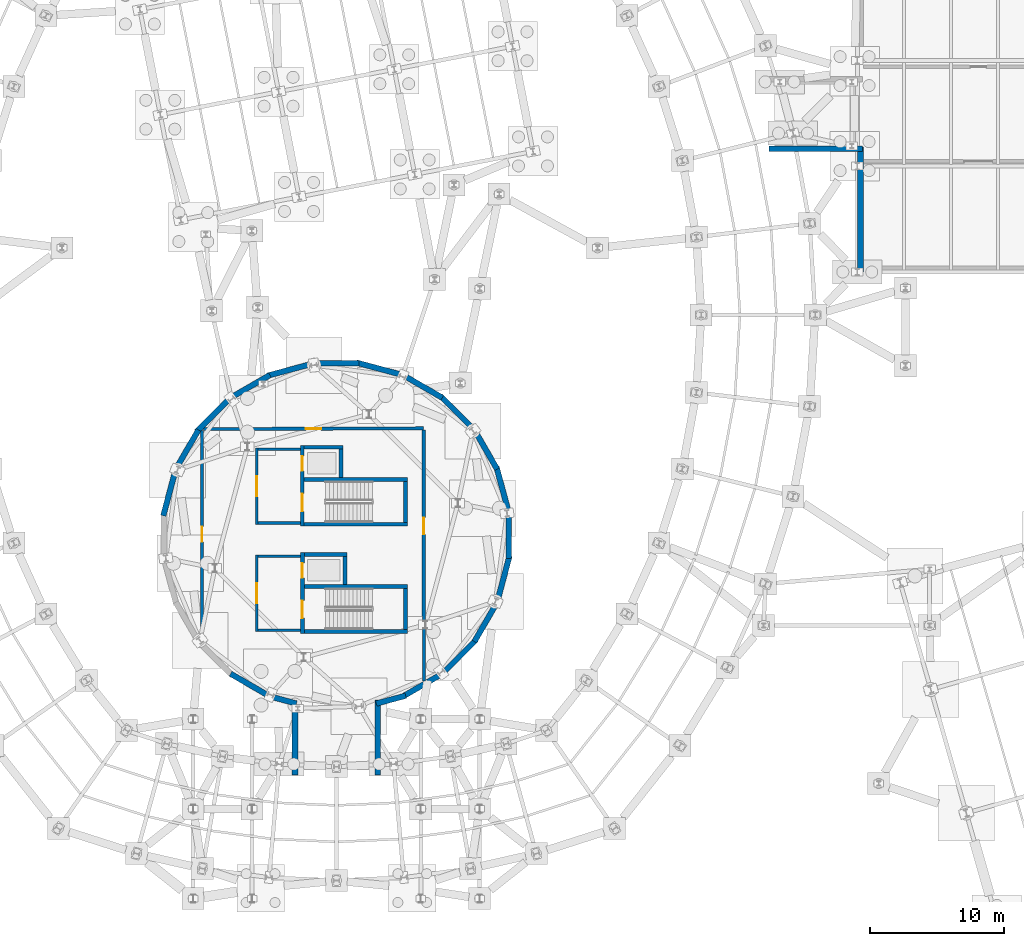
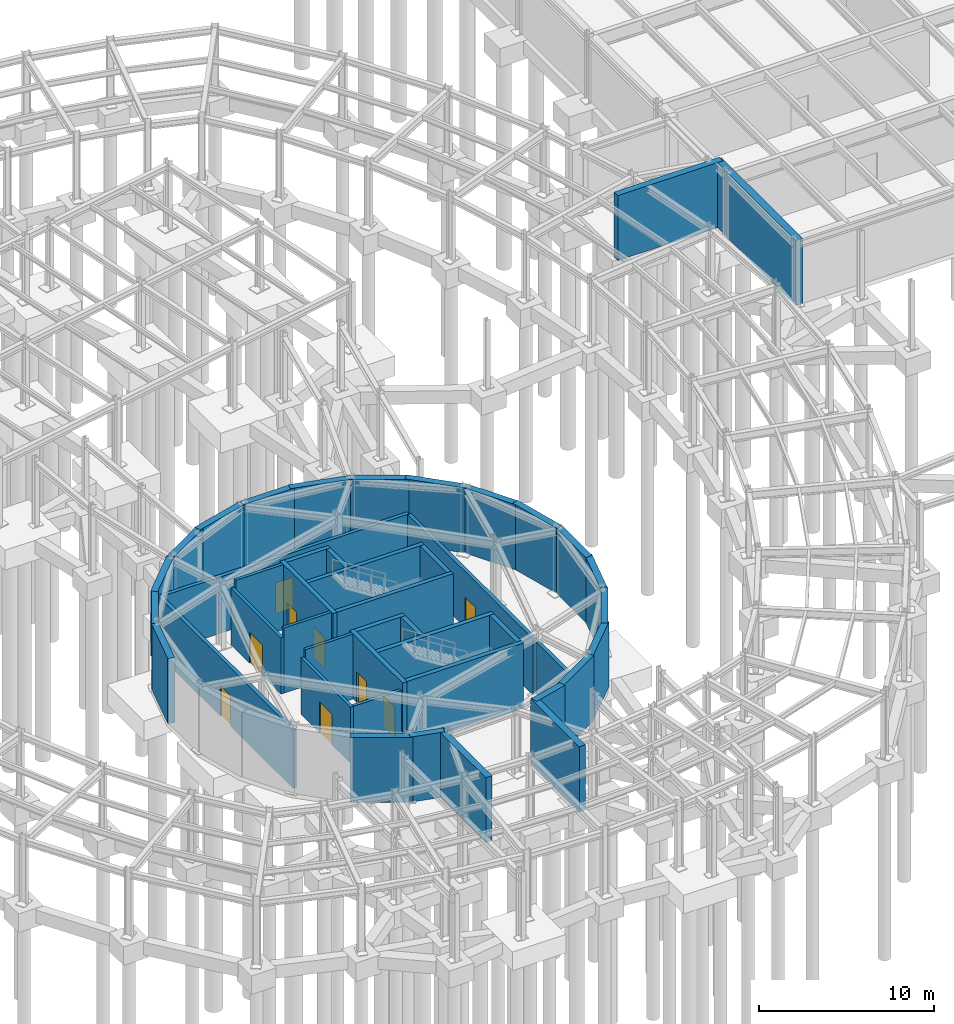
# One storey, part 41 of 50: 45 walls, 9 doors, 9 openings.
"""IFC4 building model written with IfcOpenShell, lengths in metres."""

from ifc_helpers import new_model, si_unit, direction, frame, frame_2d, origin, place, context, subcontext, project, spatial, rectangle, extrude, material, layer, layer_set, type_object, element, fill, save


model = new_model("IFC4")

# Units and contexts
model_context = context("Model", 3, precision=1e-05, world=origin(), true_north=direction((0.0, 1.0)))
body_context = subcontext(model_context, "Body", "Model", "MODEL_VIEW")
ifc_project = project(units=[si_unit("LENGTHUNIT", "METRE"), si_unit("AREAUNIT", "SQUARE_METRE"), si_unit("VOLUMEUNIT", "CUBIC_METRE"), si_unit("PLANEANGLEUNIT", "RADIAN"), si_unit("MASSUNIT", "GRAM", prefix="KILO")], contexts=[model_context])

# Site, building, storey
site_placement = place(None, origin())
site = spatial("IfcSite", under=ifc_project, at=site_placement, CompositionType="ELEMENT")
building_placement = place(site_placement, origin())
building = spatial("IfcBuilding", under=site, at=building_placement, Name="Varnklinge Art Gallery", CompositionType="ELEMENT")
storey_placement = place(building_placement, frame((0.0, 0.0, -4.800048828125)))
storey = spatial("IfcBuildingStorey", under=building, at=storey_placement, Name="B01", CompositionType="ELEMENT", Elevation=-4.800048828125)

# Walls
ifc_material_1 = material(Name="Concrete C40/50", Category="concrete")
ifc_layer_1 = layer(ifc_material_1, 0.199951171875)
ifc_layer_set_1 = layer_set([ifc_layer_1], Name="Concrete C40/50")
wall_type_1 = type_object("IfcWallType", Name="IW-20", PredefinedType="PARTITIONING", material=ifc_layer_set_1)
wall_1_placement = place(storey_placement, frame((69.64990234375, 31.449951171875, 0.0), z_axis=(0.0, 0.0, 1.0), x_axis=(1.0, 0.0, 0.0)))
element("IfcWall", 1, at=wall_1_placement, inside=storey, type_object=wall_type_1, Name="B01 Core C1 Lobby South Wall", PredefinedType="PARTITIONING", context=body_context, shape_type="SweptSolid", body=[
    extrude(rectangle(XDim=3.150146484375, YDim=0.199951171875, at=frame_2d((1.5751953125, 0.0))), origin(), (0.0, 0.0, 1.0), 3.93994140625),
])
wall_2_placement = place(storey_placement, frame((72.800048828125, 36.9599609375, 0.0), z_axis=(0.0, 0.0, 1.0), x_axis=(-1.0, 0.0, 0.0)))
element("IfcWall", 2, at=wall_2_placement, inside=storey, type_object=wall_type_1, Name="B01 Core C1 Lobby North Wall", PredefinedType="PARTITIONING", context=body_context, shape_type="SweptSolid", body=[
    extrude(rectangle(XDim=3.150146484375, YDim=0.199951171875, at=frame_2d((1.5751953125, 0.0))), origin(), (0.0, 0.0, 1.0), 4.550048828125),
])

# Wall, opening, door
wall_3_placement = place(storey_placement, frame((69.550048828125, 31.35009765625, 0.0), z_axis=(0.0, 0.0, 1.0), x_axis=(0.0, 1.0, 0.0)))
wall_3 = element("IfcWall", 3, at=wall_3_placement, inside=storey, type_object=wall_type_1, Name="B01 Core C1 Lobby Corridor Wall", PredefinedType="PARTITIONING", context=body_context, shape_type="SweptSolid", body=[
    extrude(rectangle(XDim=5.7099609375, YDim=0.199951171875, at=frame_2d((2.85498046875, 0.0))), origin(), (0.0, 0.0, 1.0), 3.93994140625),
])
opening_1_placement = place(wall_3_placement, frame((2.114990234375, 0.0, 0.0)))
opening_1 = element("IfcOpeningElement", 4, at=opening_1_placement, cuts=wall_3, Name="Opening D-B01-003", PredefinedType="OPENING", context=body_context, shape_type="SweptSolid", body=[
    extrude(rectangle(XDim=1.47998046875, YDim=2.14990234375, at=frame_2d((0.739990234375, 1.074951171875))), frame((0.0, 0.110107421875, 0.0), z_axis=(0.0, -1.0, 0.0), x_axis=(1.0, 0.0, 0.0)), (0.0, 0.0, 1.0), 0.219970703125),
])
ifc_material_2 = material(Name="Galvanised Fire-Rated Steel", Category="steel")
door_type_1 = type_object("IfcDoorType", Name="ID-LB1", OperationType="DOUBLE_DOOR_SINGLE_SWING", PredefinedType="DOOR", material=ifc_material_2)
door_1_placement = place(opening_1_placement, origin())
door_1 = element("IfcDoor", 5, at=door_1_placement, inside=storey, type_object=door_type_1, Name="B01 Core C1 Protected Lobby Door D-B01-003", OperationType="DOUBLE_DOOR_SINGLE_SWING", OverallHeight=2.14990234375, OverallWidth=1.47998046875, PredefinedType="DOOR", context=body_context, shape_type="SweptSolid", body=[
    extrude(rectangle(XDim=1.47998046875, YDim=2.14990234375, at=frame_2d((0.739990234375, 1.074951171875))), frame((0.0, 0.02490234375, 0.0), z_axis=(0.0, -1.0, 0.0), x_axis=(1.0, 0.0, 0.0)), (0.0, 0.0, 1.0), 0.050048828125),
])
fill(opening_1, door_1)

# Walls
for number, where, z_axis, x_axis, name in (
    (6, (69.64990234375, 39.449951171875, 0.0), (0.0, 0.0, 1.0), (1.0, 0.0, 0.0), "B01 Core C2 Lobby South Wall"),
    (7, (72.800048828125, 44.9599609375, 0.0), (0.0, 0.0, 1.0), (-1.0, 0.0, 0.0), "B01 Core C2 Lobby North Wall"),
):
    element("IfcWall", number, at=place(storey_placement, frame(where, z_axis=z_axis, x_axis=x_axis)), inside=storey, type_object=wall_type_1, Name=name, PredefinedType="PARTITIONING", context=body_context, shape_type="SweptSolid", body=[
        extrude(rectangle(XDim=3.150146484375, YDim=0.199951171875, at=frame_2d((1.5751953125, 0.0))), origin(), (0.0, 0.0, 1.0), 4.550048828125),
    ])

# Wall, opening, door
wall_4_placement = place(storey_placement, frame((69.550048828125, 39.35009765625, 0.0), z_axis=(0.0, 0.0, 1.0), x_axis=(0.0, 1.0, 0.0)))
wall_4 = element("IfcWall", 8, at=wall_4_placement, inside=storey, type_object=wall_type_1, Name="B01 Core C2 Lobby Corridor Wall", PredefinedType="PARTITIONING", context=body_context, shape_type="SweptSolid", body=[
    extrude(rectangle(XDim=5.7099609375, YDim=0.199951171875, at=frame_2d((2.85498046875, 0.0))), origin(), (0.0, 0.0, 1.0), 3.93994140625),
])
opening_2_placement = place(wall_4_placement, frame((2.114990234375, 0.0, 0.0)))
opening_2 = element("IfcOpeningElement", 9, at=opening_2_placement, cuts=wall_4, Name="Opening D-B01-027", PredefinedType="OPENING", context=body_context, shape_type="SweptSolid", body=[
    extrude(rectangle(XDim=1.47998046875, YDim=2.14990234375, at=frame_2d((0.739990234375, 1.074951171875))), frame((0.0, 0.110107421875, 0.0), z_axis=(0.0, -1.0, 0.0), x_axis=(1.0, 0.0, 0.0)), (0.0, 0.0, 1.0), 0.219970703125),
])
door_2_placement = place(opening_2_placement, origin())
door_2 = element("IfcDoor", 10, at=door_2_placement, inside=storey, type_object=door_type_1, Name="B01 Core C2 Protected Lobby Door D-B01-027", OperationType="DOUBLE_DOOR_SINGLE_SWING", OverallHeight=2.14990234375, OverallWidth=1.47998046875, PredefinedType="DOOR", context=body_context, shape_type="SweptSolid", body=[
    extrude(rectangle(XDim=1.47998046875, YDim=2.14990234375, at=frame_2d((0.739990234375, 1.074951171875))), frame((0.0, 0.02490234375, 0.0), z_axis=(0.0, -1.0, 0.0), x_axis=(1.0, 0.0, 0.0)), (0.0, 0.0, 1.0), 0.050048828125),
])
fill(opening_2, door_2)

ifc_material_3 = material(Name="Concrete C40/50", Category="concrete")
ifc_layer_2 = layer(ifc_material_3, 0.239990234375)
ifc_layer_set_2 = layer_set([ifc_layer_2], Name="Concrete C40/50")
wall_type_2 = type_object("IfcWallType", Name="IW-24", PredefinedType="PARTITIONING", material=ifc_layer_set_2)
wall_5_placement = place(storey_placement, frame((65.557373046875, 46.4658203125, 0.0), z_axis=(0.0, 0.0, 1.0), x_axis=(0.999993926569, 0.003485229548, 0.0)))
wall_5 = element("IfcWall", 11, at=wall_5_placement, inside=storey, type_object=wall_type_2, Name="B01 Partition Wall IW-B01-0021", PredefinedType="PARTITIONING", context=body_context, shape_type="SweptSolid", body=[
    extrude(rectangle(XDim=16.461669921875, YDim=0.239990234375, at=frame_2d((8.23095703125, 0.0))), origin(), (0.0, 0.0, 1.0), 3.93994140625),
])
opening_3_placement = place(wall_5_placement, frame((7.656005859375, 0.0, 0.0)))
opening_3 = element("IfcOpeningElement", 12, at=opening_3_placement, cuts=wall_5, Name="Opening D-B01-124", PredefinedType="OPENING", context=body_context, shape_type="SweptSolid", body=[
    extrude(rectangle(XDim=1.14990234375, YDim=2.14990234375, at=frame_2d((0.574951171875, 1.074951171875))), frame((0.0, 0.130126953125, 0.0), z_axis=(0.0, -1.0, 0.0), x_axis=(1.0, 0.0, 0.0)), (0.0, 0.0, 1.0), 0.260009765625),
])
ifc_material_4 = material(Name="Galvanised Fire-Rated Steel", Category="steel")
door_type_2 = type_object("IfcDoorType", Name="ID-05", OperationType="SINGLE_SWING_LEFT", PredefinedType="DOOR", material=ifc_material_4)
door_3_placement = place(opening_3_placement, origin())
door_3 = element("IfcDoor", 13, at=door_3_placement, inside=storey, type_object=door_type_2, Name="B01 B01 Drum Archive and Environmental Plant Door D-B01-124", OperationType="SINGLE_SWING_RIGHT", OverallHeight=2.14990234375, OverallWidth=1.14990234375, PredefinedType="DOOR", context=body_context, shape_type="SweptSolid", body=[
    extrude(rectangle(XDim=1.14990234375, YDim=2.14990234375, at=frame_2d((0.574951171875, 1.074951171875))), frame((0.0, 0.02490234375, 0.0), z_axis=(0.0, -1.0, 0.0), x_axis=(1.0, 0.0, 0.0)), (0.0, 0.0, 1.0), 0.050048828125),
])
fill(opening_3, door_3)

wall_6_placement = place(storey_placement, frame((82.01904296875, 46.38818359375, 0.0), z_axis=(0.0, 0.0, 1.0), x_axis=(0.000766910148, -0.999999705924, 0.0)))
wall_6 = element("IfcWall", 14, at=wall_6_placement, inside=storey, type_object=wall_type_2, Name="B01 Partition Wall IW-B01-0022", PredefinedType="PARTITIONING", context=body_context, shape_type="SweptSolid", body=[
    extrude(rectangle(XDim=14.325439453125, YDim=0.239990234375, at=frame_2d((7.16259765625, 0.0))), origin(), (0.0, 0.0, 1.0), 3.93994140625),
])
opening_4_placement = place(wall_6_placement, frame((6.542724609375, 0.0, 0.0)))
opening_4 = element("IfcOpeningElement", 15, at=opening_4_placement, cuts=wall_6, Name="Opening D-B01-125", PredefinedType="OPENING", context=body_context, shape_type="SweptSolid", body=[
    extrude(rectangle(XDim=1.239990234375, YDim=2.14990234375, at=frame_2d((0.6201171875, 1.074951171875))), frame((0.0, 0.130126953125, 0.0), z_axis=(0.0, -1.0, 0.0), x_axis=(1.0, 0.0, 0.0)), (0.0, 0.0, 1.0), 0.260009765625),
])
ifc_material_5 = material(Name="Galvanised Fire-Rated Steel", Category="steel")
door_type_3 = type_object("IfcDoorType", Name="ID-06", OperationType="SINGLE_SWING_RIGHT", PredefinedType="DOOR", material=ifc_material_5)
door_4_placement = place(opening_4_placement, origin())
door_4 = element("IfcDoor", 16, at=door_4_placement, inside=storey, type_object=door_type_3, Name="B01 B01 Drum Archive and Environmental Plant Door D-B01-125", OperationType="SINGLE_SWING_LEFT", OverallHeight=2.14990234375, OverallWidth=1.239990234375, PredefinedType="DOOR", context=body_context, shape_type="SweptSolid", body=[
    extrude(rectangle(XDim=1.239990234375, YDim=2.14990234375, at=frame_2d((0.6201171875, 1.074951171875))), frame((0.0, 0.02490234375, 0.0), z_axis=(0.0, -1.0, 0.0), x_axis=(1.0, 0.0, 0.0)), (0.0, 0.0, 1.0), 0.050048828125),
])
fill(opening_4, door_4)

wall_7_placement = place(storey_placement, frame((65.469970703125, 30.851806640625, 0.0), z_axis=(0.0, 0.0, 1.0), x_axis=(0.0, 1.0, 0.0)))
wall_7 = element("IfcWall", 17, at=wall_7_placement, inside=storey, type_object=wall_type_2, Name="B01 Partition Wall IW-B01-0023", PredefinedType="PARTITIONING", context=body_context, shape_type="SweptSolid", body=[
    extrude(rectangle(XDim=15.526611328125, YDim=0.239990234375, at=frame_2d((7.76318359375, 0.0))), origin(), (0.0, 0.0, 1.0), 4.090087890625),
])
opening_5_placement = place(wall_7_placement, frame((7.1884765625, 0.0, 0.0)))
opening_5 = element("IfcOpeningElement", 18, at=opening_5_placement, cuts=wall_7, Name="Opening D-B01-126", PredefinedType="OPENING", context=body_context, shape_type="SweptSolid", body=[
    extrude(rectangle(XDim=1.14990234375, YDim=2.14990234375, at=frame_2d((0.574951171875, 1.074951171875))), frame((0.0, 0.130126953125, 0.0), z_axis=(0.0, -1.0, 0.0), x_axis=(1.0, 0.0, 0.0)), (0.0, 0.0, 1.0), 0.260009765625),
])
door_5_placement = place(opening_5_placement, origin())
door_5 = element("IfcDoor", 19, at=door_5_placement, inside=storey, type_object=door_type_2, Name="B01 B01 Drum Archive and Environmental Plant Door D-B01-126", OperationType="SINGLE_SWING_RIGHT", OverallHeight=2.14990234375, OverallWidth=1.14990234375, PredefinedType="DOOR", context=body_context, shape_type="SweptSolid", body=[
    extrude(rectangle(XDim=1.14990234375, YDim=2.14990234375, at=frame_2d((0.574951171875, 1.074951171875))), frame((0.0, 0.02490234375, 0.0), z_axis=(0.0, -1.0, 0.0), x_axis=(1.0, 0.0, 0.0)), (0.0, 0.0, 1.0), 0.050048828125),
])
fill(opening_5, door_5)

# Walls
wall_8_placement = place(storey_placement, frame((82.030029296875, 31.643798828125, 0.0), z_axis=(0.0, 0.0, 1.0), x_axis=(0.0, -1.0, 0.0)))
element("IfcWall", 20, at=wall_8_placement, inside=storey, type_object=wall_type_2, Name="B01 Partition Wall IW-B01-0024", PredefinedType="PARTITIONING", context=body_context, shape_type="SweptSolid", body=[
    extrude(rectangle(XDim=3.995849609375, YDim=0.239990234375, at=frame_2d((1.998046875, 0.0))), origin(), (0.0, 0.0, 1.0), 3.93994140625),
])
ifc_material_6 = material(Name="Concrete C40/50", Category="concrete")
ifc_layer_3 = layer(ifc_material_6, 0.419921875)
ifc_layer_set_3 = layer_set([ifc_layer_3], Name="Concrete C40/50")
wall_type_3 = type_object("IfcWallType", Name="RW-42", PredefinedType="USERDEFINED", material=ifc_layer_set_3)
for number, where, z_axis, x_axis, name in (
    (21, (88.377197265625, 40.4052734375, 0.0), (0.0, 0.0, 1.0), (0.0, -1.0, 0.0), "B01 Exterior Wall RW-V4D-B01-01"),
    (22, (88.431396484375, 37.007568359375, 0.0), (0.0, 0.0, 1.0), (-0.258823078531, -0.965924745526, 0.0), "B01 Exterior Wall RW-V4D-B01-02"),
):
    element("IfcWall", number, at=place(storey_placement, frame(where, z_axis=z_axis, x_axis=x_axis)), inside=storey, type_object=wall_type_3, Name=name, ObjectType="RETAINING WALL", PredefinedType="USERDEFINED", context=body_context, shape_type="SweptSolid", body=[
        extrude(rectangle(XDim=3.6005859375, YDim=0.419921875, at=frame_2d((1.80029296875, 0.0))), origin(), (0.0, 0.0, 1.0), 4.550048828125),
    ])
wall_9_placement = place(storey_placement, frame((87.6044921875, 33.711669921875, 0.0), z_axis=(0.0, 0.0, 1.0), x_axis=(-0.499974828743, -0.866039935929, 0.0)))
element("IfcWall", 23, at=wall_9_placement, inside=storey, type_object=wall_type_3, Name="B01 Exterior Wall RW-V4D-B01-03", ObjectType="RETAINING WALL", PredefinedType="USERDEFINED", context=body_context, shape_type="SweptSolid", body=[
    extrude(rectangle(XDim=3.600830078125, YDim=0.419921875, at=frame_2d((1.80029296875, 0.0))), origin(), (0.0, 0.0, 1.0), 4.550048828125),
])
wall_10_placement = place(storey_placement, frame((85.952880859375, 30.74169921875, 0.0), z_axis=(0.0, 0.0, 1.0), x_axis=(-0.707140682986, -0.707072877762, 0.0)))
element("IfcWall", 24, at=wall_10_placement, inside=storey, type_object=wall_type_3, Name="B01 Exterior Wall RW-V4D-B01-04", ObjectType="RETAINING WALL", PredefinedType="USERDEFINED", context=body_context, shape_type="SweptSolid", body=[
    extrude(rectangle(XDim=3.6005859375, YDim=0.419921875, at=frame_2d((1.80029296875, 0.0))), origin(), (0.0, 0.0, 1.0), 4.550048828125),
])
wall_11_placement = place(storey_placement, frame((83.588623046875, 28.30078125, 0.0), z_axis=(0.0, 0.0, 1.0), x_axis=(-0.866039935929, -0.499974828743, 0.0)))
element("IfcWall", 25, at=wall_11_placement, inside=storey, type_object=wall_type_3, Name="B01 Exterior Wall RW-V4D-B01-05", ObjectType="RETAINING WALL", PredefinedType="USERDEFINED", context=body_context, shape_type="SweptSolid", body=[
    extrude(rectangle(XDim=3.600830078125, YDim=0.419921875, at=frame_2d((1.80029296875, 0.0))), origin(), (0.0, 0.0, 1.0), 4.550048828125),
])
wall_12_placement = place(storey_placement, frame((80.673095703125, 26.554931640625, 0.0), z_axis=(0.0, 0.0, 1.0), x_axis=(-0.965925492833, -0.258820289575, 0.0)))
element("IfcWall", 26, at=wall_12_placement, inside=storey, type_object=wall_type_3, Name="B01 Exterior Wall RW-V4D-B01-06", ObjectType="RETAINING WALL", PredefinedType="USERDEFINED", context=body_context, shape_type="SweptSolid", body=[
    extrude(rectangle(XDim=2.2705078125, YDim=0.419921875, at=frame_2d((1.13525390625, 0.0))), origin(), (0.0, 0.0, 1.0), 4.550048828125),
])
wall_13_placement = place(storey_placement, frame((72.52001953125, 25.96728515625, 0.0), z_axis=(0.0, 0.0, 1.0), x_axis=(-0.965935358697, 0.25878346705, 0.0)))
element("IfcWall", 27, at=wall_13_placement, inside=storey, type_object=wall_type_3, Name="B01 Exterior Wall RW-V4D-B01-07", ObjectType="RETAINING WALL", PredefinedType="USERDEFINED", context=body_context, shape_type="SweptSolid", body=[
    extrude(rectangle(XDim=2.060302734375, YDim=0.419921875, at=frame_2d((1.0302734375, 0.0))), origin(), (0.0, 0.0, 1.0), 4.550048828125),
])
wall_14_placement = place(storey_placement, frame((70.711669921875, 26.3955078125, 0.0), z_axis=(0.0, 0.0, 1.0), x_axis=(-0.866039935929, 0.499974828743, 0.0)))
element("IfcWall", 28, at=wall_14_placement, inside=storey, type_object=wall_type_3, Name="B01 Exterior Wall RW-V4D-B01-08", ObjectType="RETAINING WALL", PredefinedType="USERDEFINED", context=body_context, shape_type="SweptSolid", body=[
    extrude(rectangle(XDim=3.600830078125, YDim=0.419921875, at=frame_2d((1.80029296875, 0.0))), origin(), (0.0, 0.0, 1.0), 4.550048828125),
])
wall_15_placement = place(storey_placement, frame((62.568603515625, 39.992431640625, 0.0), z_axis=(0.0, 0.0, 1.0), x_axis=(0.258823078531, 0.965924745526, 0.0)))
element("IfcWall", 29, at=wall_15_placement, inside=storey, type_object=wall_type_3, Name="B01 Exterior Wall RW-V4D-B01-13", ObjectType="RETAINING WALL", PredefinedType="USERDEFINED", context=body_context, shape_type="SweptSolid", body=[
    extrude(rectangle(XDim=3.6005859375, YDim=0.419921875, at=frame_2d((1.80029296875, 0.0))), origin(), (0.0, 0.0, 1.0), 4.550048828125),
])
wall_16_placement = place(storey_placement, frame((63.3955078125, 43.288330078125, 0.0), z_axis=(0.0, 0.0, 1.0), x_axis=(0.499974828743, 0.866039935929, 0.0)))
element("IfcWall", 30, at=wall_16_placement, inside=storey, type_object=wall_type_3, Name="B01 Exterior Wall RW-V4D-B01-14", ObjectType="RETAINING WALL", PredefinedType="USERDEFINED", context=body_context, shape_type="SweptSolid", body=[
    extrude(rectangle(XDim=3.600830078125, YDim=0.419921875, at=frame_2d((1.80029296875, 0.0))), origin(), (0.0, 0.0, 1.0), 4.550048828125),
])
wall_17_placement = place(storey_placement, frame((65.047119140625, 46.25830078125, 0.0), z_axis=(0.0, 0.0, 1.0), x_axis=(0.707140682986, 0.707072877762, 0.0)))
element("IfcWall", 31, at=wall_17_placement, inside=storey, type_object=wall_type_3, Name="B01 Exterior Wall RW-V4D-B01-15", ObjectType="RETAINING WALL", PredefinedType="USERDEFINED", context=body_context, shape_type="SweptSolid", body=[
    extrude(rectangle(XDim=3.6005859375, YDim=0.419921875, at=frame_2d((1.80029296875, 0.0))), origin(), (0.0, 0.0, 1.0), 4.550048828125),
])
wall_18_placement = place(storey_placement, frame((67.411376953125, 48.69921875, 0.0), z_axis=(0.0, 0.0, 1.0), x_axis=(0.866039935929, 0.499974828743, 0.0)))
element("IfcWall", 32, at=wall_18_placement, inside=storey, type_object=wall_type_3, Name="B01 Exterior Wall RW-V4D-B01-16", ObjectType="RETAINING WALL", PredefinedType="USERDEFINED", context=body_context, shape_type="SweptSolid", body=[
    extrude(rectangle(XDim=3.600830078125, YDim=0.419921875, at=frame_2d((1.80029296875, 0.0))), origin(), (0.0, 0.0, 1.0), 4.550048828125),
])
for number, where, z_axis, x_axis, name in (
    (33, (70.326904296875, 50.445068359375, 0.0), (0.0, 0.0, 1.0), (0.96590779151, 0.258886342435, 0.0), "B01 Exterior Wall RW-V4D-B01-17"),
    (34, (73.5947265625, 51.377197265625, 0.0), (0.0, 0.0, 1.0), (1.0, 0.0, 0.0), "B01 Exterior Wall RW-V4D-B01-18"),
    (35, (76.992431640625, 51.431396484375, 0.0), (0.0, 0.0, 1.0), (0.965924745526, -0.258823078531, 0.0), "B01 Exterior Wall RW-V4D-B01-19"),
):
    element("IfcWall", number, at=place(storey_placement, frame(where, z_axis=z_axis, x_axis=x_axis)), inside=storey, type_object=wall_type_3, Name=name, ObjectType="RETAINING WALL", PredefinedType="USERDEFINED", context=body_context, shape_type="SweptSolid", body=[
        extrude(rectangle(XDim=3.6005859375, YDim=0.419921875, at=frame_2d((1.80029296875, 0.0))), origin(), (0.0, 0.0, 1.0), 4.550048828125),
    ])
wall_19_placement = place(storey_placement, frame((80.288330078125, 50.6044921875, 0.0), z_axis=(0.0, 0.0, 1.0), x_axis=(0.866039935929, -0.499974828743, 0.0)))
element("IfcWall", 36, at=wall_19_placement, inside=storey, type_object=wall_type_3, Name="B01 Exterior Wall RW-V4D-B01-20", ObjectType="RETAINING WALL", PredefinedType="USERDEFINED", context=body_context, shape_type="SweptSolid", body=[
    extrude(rectangle(XDim=3.600830078125, YDim=0.419921875, at=frame_2d((1.80029296875, 0.0))), origin(), (0.0, 0.0, 1.0), 4.550048828125),
])
wall_20_placement = place(storey_placement, frame((83.25830078125, 48.952880859375, 0.0), z_axis=(0.0, 0.0, 1.0), x_axis=(0.707072877762, -0.707140682986, 0.0)))
element("IfcWall", 37, at=wall_20_placement, inside=storey, type_object=wall_type_3, Name="B01 Exterior Wall RW-V4D-B01-21", ObjectType="RETAINING WALL", PredefinedType="USERDEFINED", context=body_context, shape_type="SweptSolid", body=[
    extrude(rectangle(XDim=3.6005859375, YDim=0.419921875, at=frame_2d((1.80029296875, 0.0))), origin(), (0.0, 0.0, 1.0), 4.550048828125),
])
wall_21_placement = place(storey_placement, frame((85.69921875, 46.588623046875, 0.0), z_axis=(0.0, 0.0, 1.0), x_axis=(0.499974828743, -0.866039935929, 0.0)))
element("IfcWall", 38, at=wall_21_placement, inside=storey, type_object=wall_type_3, Name="B01 Exterior Wall RW-V4D-B01-22", ObjectType="RETAINING WALL", PredefinedType="USERDEFINED", context=body_context, shape_type="SweptSolid", body=[
    extrude(rectangle(XDim=3.600830078125, YDim=0.419921875, at=frame_2d((1.80029296875, 0.0))), origin(), (0.0, 0.0, 1.0), 4.550048828125),
])
wall_22_placement = place(storey_placement, frame((87.445068359375, 43.673095703125, 0.0), z_axis=(0.0, 0.0, 1.0), x_axis=(0.258886342435, -0.96590779151, 0.0)))
element("IfcWall", 39, at=wall_22_placement, inside=storey, type_object=wall_type_3, Name="B01 Exterior Wall RW-V4D-B01-23", ObjectType="RETAINING WALL", PredefinedType="USERDEFINED", context=body_context, shape_type="SweptSolid", body=[
    extrude(rectangle(XDim=3.6005859375, YDim=0.419921875, at=frame_2d((1.80029296875, 0.0))), origin(), (0.0, 0.0, 1.0), 4.550048828125),
])
wall_23_placement = place(storey_placement, frame((114.780029296875, 67.409912109375, 0.0), z_axis=(0.0, 0.0, 1.0), x_axis=(-1.0, 0.0, 0.0)))
element("IfcWall", 40, at=wall_23_placement, inside=storey, type_object=wall_type_3, Name="RW-LNK-V1-S", ObjectType="RETAINING WALL", PredefinedType="USERDEFINED", context=body_context, shape_type="SweptSolid", body=[
    extrude(rectangle(XDim=6.9599609375, YDim=0.419921875, at=frame_2d((3.47998046875, 0.0))), origin(), (0.0, 0.0, 1.0), 4.550048828125),
])
for number, where, z_axis, x_axis, name in (
    (41, (72.409912109375, 20.6201171875, 0.0), (0.0, 0.0, 1.0), (0.0, 1.0, 0.0), "RW-LNK-V4S-W"),
    (42, (78.590087890625, 26.215576171875, 0.0), (0.0, 0.0, 1.0), (0.0, -1.0, 0.0), "RW-LNK-V4S-E"),
):
    element("IfcWall", number, at=place(storey_placement, frame(where, z_axis=z_axis, x_axis=x_axis)), inside=storey, type_object=wall_type_3, Name=name, ObjectType="RETAINING WALL", PredefinedType="USERDEFINED", context=body_context, shape_type="SweptSolid", body=[
        extrude(rectangle(XDim=5.595458984375, YDim=0.419921875, at=frame_2d((2.7978515625, 0.0))), origin(), (0.0, 0.0, 1.0), 4.550048828125),
    ])
ifc_material_7 = material(Name="Concrete C40/50", Category="concrete")
ifc_layer_4 = layer(ifc_material_7, 0.4599609375)
ifc_layer_set_4 = layer_set([ifc_layer_4], Name="Concrete C40/50")
wall_type_4 = type_object("IfcWallType", Name="RW-46", PredefinedType="USERDEFINED", material=ifc_layer_set_4)
wall_24_placement = place(storey_placement, frame((114.6298828125, 58.199951171875, 0.0), z_axis=(0.0, 0.0, 1.0), x_axis=(0.0, 1.0, 0.0)))
element("IfcWall", 43, at=wall_24_placement, inside=storey, type_object=wall_type_4, Name="B01 Exterior Wall RW-V1-B01-01", ObjectType="RETAINING WALL", PredefinedType="USERDEFINED", context=body_context, shape_type="SweptSolid", body=[
    extrude(rectangle(XDim=9.320068359375, YDim=0.4599609375, at=frame_2d((4.66015625, 0.0))), origin(), (0.0, 0.0, 1.0), 4.550048828125),
])
ifc_material_8 = material(Name="Concrete C40/50", Category="concrete")
ifc_layer_5 = layer(ifc_material_8, 0.280029296875)
ifc_layer_set_5 = layer_set([ifc_layer_5], Name="Concrete C40/50")
wall_type_5 = type_object("IfcWallType", Name="SW-28", PredefinedType="SHEAR", material=ifc_layer_set_5)
wall_25_placement = place(storey_placement, frame((73.090087890625, 39.35009765625, 0.0), z_axis=(0.0, 0.0, 1.0), x_axis=(1.0, 0.0, 0.0)))
element("IfcWall", 44, at=wall_25_placement, inside=storey, type_object=wall_type_5, Name="B01 Core C2 South Shear Wall", PredefinedType="SHEAR", context=body_context, shape_type="SweptSolid", body=[
    extrude(rectangle(XDim=7.699951171875, YDim=0.280029296875, at=frame_2d((3.85009765625, 0.0))), origin(), (0.0, 0.0, 1.0), 4.550048828125),
])
wall_26_placement = place(storey_placement, frame((80.64990234375, 39.489990234375, 0.0), z_axis=(0.0, 0.0, 1.0), x_axis=(0.0, 1.0, 0.0)))
element("IfcWall", 45, at=wall_26_placement, inside=storey, type_object=wall_type_5, Name="B01 Core C2 East Shear Wall", PredefinedType="SHEAR", context=body_context, shape_type="SweptSolid", body=[
    extrude(rectangle(XDim=3.080078125, YDim=0.280029296875, at=frame_2d((1.5400390625, 0.0))), origin(), (0.0, 0.0, 1.0), 4.550048828125),
])
wall_27_placement = place(storey_placement, frame((80.7900390625, 42.7099609375, 0.0), z_axis=(0.0, 0.0, 1.0), x_axis=(-1.0, 0.0, 0.0)))
element("IfcWall", 46, at=wall_27_placement, inside=storey, type_object=wall_type_5, Name="B01 Core C2 Dividing Shear Wall", PredefinedType="SHEAR", context=body_context, shape_type="SweptSolid", body=[
    extrude(rectangle(XDim=7.699951171875, YDim=0.280029296875, at=frame_2d((3.85009765625, 0.0))), origin(), (0.0, 0.0, 1.0), 4.550048828125),
])
wall_28_placement = place(storey_placement, frame((75.85009765625, 42.85009765625, 0.0), z_axis=(0.0, 0.0, 1.0), x_axis=(0.0, 1.0, 0.0)))
element("IfcWall", 47, at=wall_28_placement, inside=storey, type_object=wall_type_5, Name="B01 Core C2 Lift East Shear Wall", PredefinedType="SHEAR", context=body_context, shape_type="SweptSolid", body=[
    extrude(rectangle(XDim=2.119873046875, YDim=0.280029296875, at=frame_2d((1.06005859375, 0.0))), origin(), (0.0, 0.0, 1.0), 4.550048828125),
])
wall_29_placement = place(storey_placement, frame((75.989990234375, 45.110107421875, 0.0), z_axis=(0.0, 0.0, 1.0), x_axis=(-1.0, 0.0, 0.0)))
element("IfcWall", 48, at=wall_29_placement, inside=storey, type_object=wall_type_5, Name="B01 Core C2 Lift North Shear Wall", PredefinedType="SHEAR", context=body_context, shape_type="SweptSolid", body=[
    extrude(rectangle(XDim=2.89990234375, YDim=0.280029296875, at=frame_2d((1.449951171875, 0.0))), origin(), (0.0, 0.0, 1.0), 4.550048828125),
])

# Wall, openings, doors
wall_30_placement = place(storey_placement, frame((72.949951171875, 45.25, 0.0), z_axis=(0.0, 0.0, 1.0), x_axis=(0.0, -1.0, 0.0)))
wall_30 = element("IfcWall", 49, at=wall_30_placement, inside=storey, type_object=wall_type_5, Name="B01 Core C2 Front Shear Wall", PredefinedType="SHEAR", context=body_context, shape_type="SweptSolid", body=[
    extrude(rectangle(XDim=6.0400390625, YDim=0.280029296875, at=frame_2d((3.02001953125, 0.0))), origin(), (0.0, 0.0, 1.0), 4.550048828125),
])
opening_6_placement = place(wall_30_placement, frame((0.800048828125, 0.0, 0.0)))
opening_6 = element("IfcOpeningElement", 50, at=opening_6_placement, cuts=wall_30, Name="Opening LD-B01-025", PredefinedType="OPENING", context=body_context, shape_type="SweptSolid", body=[
    extrude(rectangle(XDim=1.10009765625, YDim=2.1201171875, at=frame_2d((0.550048828125, 1.06005859375))), frame((0.0, 0.150146484375, 0.0), z_axis=(0.0, -1.0, 0.0), x_axis=(1.0, 0.0, 0.0)), (0.0, 0.0, 1.0), 0.300048828125),
])
opening_7_placement = place(wall_30_placement, frame((3.60009765625, 0.0, 0.0)))
opening_7 = element("IfcOpeningElement", 51, at=opening_7_placement, cuts=wall_30, Name="Opening D-B01-026", PredefinedType="OPENING", context=body_context, shape_type="SweptSolid", body=[
    extrude(rectangle(XDim=1.320068359375, YDim=2.1201171875, at=frame_2d((0.66015625, 1.06005859375))), frame((0.0, 0.150146484375, 0.0), z_axis=(0.0, -1.0, 0.0), x_axis=(1.0, 0.0, 0.0)), (0.0, 0.0, 1.0), 0.300048828125),
])
ifc_material_9 = material(Name="Galvanised Fire-Rated Steel", Category="steel")
door_type_4 = type_object("IfcDoorType", Name="ID-ST1", OperationType="SINGLE_SWING_LEFT", PredefinedType="DOOR", material=ifc_material_9)
door_6_placement = place(opening_7_placement, origin())
door_6 = element("IfcDoor", 52, at=door_6_placement, inside=storey, type_object=door_type_4, Name="B01 Stair ST-02 Fire Door D-B01-026", OperationType="SINGLE_SWING_LEFT", OverallHeight=2.1201171875, OverallWidth=1.320068359375, PredefinedType="DOOR", context=body_context, shape_type="SweptSolid", body=[
    extrude(rectangle(XDim=1.320068359375, YDim=2.1201171875, at=frame_2d((0.66015625, 1.06005859375))), frame((0.0, 0.02490234375, 0.0), z_axis=(0.0, -1.0, 0.0), x_axis=(1.0, 0.0, 0.0)), (0.0, 0.0, 1.0), 0.050048828125),
])
fill(opening_7, door_6)
ifc_material_10 = material(Name="Anodised Aluminium", Category="aluminium")
door_type_5 = type_object("IfcDoorType", Name="LD-PAX", OperationType="SLIDING_TO_LEFT", PredefinedType="DOOR", material=ifc_material_10)
door_7_placement = place(opening_6_placement, origin())
door_7 = element("IfcDoor", 53, at=door_7_placement, inside=storey, type_object=door_type_5, Name="B01 LF-02 Sliding Landing Door LD-B01-025", OperationType="SLIDING_TO_LEFT", OverallHeight=2.1201171875, OverallWidth=1.10009765625, PredefinedType="DOOR", context=body_context, shape_type="SweptSolid", body=[
    extrude(rectangle(XDim=1.10009765625, YDim=2.1201171875, at=frame_2d((0.550048828125, 1.06005859375))), frame((0.0, 0.02490234375, 0.0), z_axis=(0.0, -1.0, 0.0), x_axis=(1.0, 0.0, 0.0)), (0.0, 0.0, 1.0), 0.050048828125),
])
fill(opening_6, door_7)

# Walls
ifc_material_11 = material(Name="Concrete C40/50", Category="concrete")
ifc_layer_6 = layer(ifc_material_11, 0.300048828125)
ifc_layer_set_6 = layer_set([ifc_layer_6], Name="Concrete C40/50")
wall_type_6 = type_object("IfcWallType", Name="SW-30", PredefinedType="SHEAR", material=ifc_layer_set_6)
wall_31_placement = place(storey_placement, frame((73.10009765625, 31.35009765625, 0.0), z_axis=(0.0, 0.0, 1.0), x_axis=(1.0, 0.0, 0.0)))
element("IfcWall", 54, at=wall_31_placement, inside=storey, type_object=wall_type_6, Name="B01 Core C1 South Shear Wall", PredefinedType="SHEAR", context=body_context, shape_type="SweptSolid", body=[
    extrude(rectangle(XDim=7.699951171875, YDim=0.300048828125, at=frame_2d((3.85009765625, 0.0))), origin(), (0.0, 0.0, 1.0), 4.550048828125),
])
wall_32_placement = place(storey_placement, frame((80.64990234375, 31.5, 0.0), z_axis=(0.0, 0.0, 1.0), x_axis=(0.0, 1.0, 0.0)))
element("IfcWall", 55, at=wall_32_placement, inside=storey, type_object=wall_type_6, Name="B01 Core C1 East Shear Wall", PredefinedType="SHEAR", context=body_context, shape_type="SweptSolid", body=[
    extrude(rectangle(XDim=3.06005859375, YDim=0.300048828125, at=frame_2d((1.530029296875, 0.0))), origin(), (0.0, 0.0, 1.0), 4.550048828125),
])
wall_33_placement = place(storey_placement, frame((80.800048828125, 34.7099609375, 0.0), z_axis=(0.0, 0.0, 1.0), x_axis=(-1.0, 0.0, 0.0)))
element("IfcWall", 56, at=wall_33_placement, inside=storey, type_object=wall_type_6, Name="B01 Core C1 Dividing Shear Wall", PredefinedType="SHEAR", context=body_context, shape_type="SweptSolid", body=[
    extrude(rectangle(XDim=7.699951171875, YDim=0.300048828125, at=frame_2d((3.85009765625, 0.0))), origin(), (0.0, 0.0, 1.0), 4.550048828125),
])
wall_34_placement = place(storey_placement, frame((76.14990234375, 34.860107421875, 0.0), z_axis=(0.0, 0.0, 1.0), x_axis=(0.0, 1.0, 0.0)))
element("IfcWall", 57, at=wall_34_placement, inside=storey, type_object=wall_type_6, Name="B01 Core C1 Lift East Shear Wall", PredefinedType="SHEAR", context=body_context, shape_type="SweptSolid", body=[
    extrude(rectangle(XDim=2.099853515625, YDim=0.300048828125, at=frame_2d((1.0498046875, 0.0))), origin(), (0.0, 0.0, 1.0), 4.550048828125),
])
wall_35_placement = place(storey_placement, frame((76.300048828125, 37.110107421875, 0.0), z_axis=(0.0, 0.0, 1.0), x_axis=(-1.0, 0.0, 0.0)))
element("IfcWall", 58, at=wall_35_placement, inside=storey, type_object=wall_type_6, Name="B01 Core C1 Lift North Shear Wall", PredefinedType="SHEAR", context=body_context, shape_type="SweptSolid", body=[
    extrude(rectangle(XDim=3.199951171875, YDim=0.300048828125, at=frame_2d((1.60009765625, 0.0))), origin(), (0.0, 0.0, 1.0), 4.550048828125),
])

# Wall, openings, doors
wall_36_placement = place(storey_placement, frame((72.949951171875, 37.260009765625, 0.0), z_axis=(0.0, 0.0, 1.0), x_axis=(0.0, -1.0, 0.0)))
wall_36 = element("IfcWall", 59, at=wall_36_placement, inside=storey, type_object=wall_type_6, Name="B01 Core C1 Front Shear Wall", PredefinedType="SHEAR", context=body_context, shape_type="SweptSolid", body=[
    extrude(rectangle(XDim=6.06005859375, YDim=0.300048828125, at=frame_2d((3.030029296875, 0.0))), origin(), (0.0, 0.0, 1.0), 4.550048828125),
])
opening_8_placement = place(wall_36_placement, frame((0.800048828125, 0.0, 0.0)))
opening_8 = element("IfcOpeningElement", 60, at=opening_8_placement, cuts=wall_36, Name="Opening LD-B01-001", PredefinedType="OPENING", context=body_context, shape_type="SweptSolid", body=[
    extrude(rectangle(XDim=1.10009765625, YDim=2.1201171875, at=frame_2d((0.550048828125, 1.06005859375))), frame((0.0, 0.159912109375, 0.0), z_axis=(0.0, -1.0, 0.0), x_axis=(1.0, 0.0, 0.0)), (0.0, 0.0, 1.0), 0.320068359375),
])
opening_9_placement = place(wall_36_placement, frame((3.60009765625, 0.0, 0.0)))
opening_9 = element("IfcOpeningElement", 61, at=opening_9_placement, cuts=wall_36, Name="Opening D-B01-002", PredefinedType="OPENING", context=body_context, shape_type="SweptSolid", body=[
    extrude(rectangle(XDim=1.320068359375, YDim=2.1201171875, at=frame_2d((0.66015625, 1.06005859375))), frame((0.0, 0.159912109375, 0.0), z_axis=(0.0, -1.0, 0.0), x_axis=(1.0, 0.0, 0.0)), (0.0, 0.0, 1.0), 0.320068359375),
])
door_8_placement = place(opening_9_placement, origin())
door_8 = element("IfcDoor", 62, at=door_8_placement, inside=storey, type_object=door_type_4, Name="B01 Stair ST-01 Fire Door D-B01-002", OperationType="SINGLE_SWING_LEFT", OverallHeight=2.1201171875, OverallWidth=1.320068359375, PredefinedType="DOOR", context=body_context, shape_type="SweptSolid", body=[
    extrude(rectangle(XDim=1.320068359375, YDim=2.1201171875, at=frame_2d((0.66015625, 1.06005859375))), frame((0.0, 0.02490234375, 0.0), z_axis=(0.0, -1.0, 0.0), x_axis=(1.0, 0.0, 0.0)), (0.0, 0.0, 1.0), 0.050048828125),
])
fill(opening_9, door_8)
door_9_placement = place(opening_8_placement, origin())
door_9 = element("IfcDoor", 63, at=door_9_placement, inside=storey, type_object=door_type_5, Name="B01 LF-01 Sliding Landing Door LD-B01-001", OperationType="SLIDING_TO_LEFT", OverallHeight=2.1201171875, OverallWidth=1.10009765625, PredefinedType="DOOR", context=body_context, shape_type="SweptSolid", body=[
    extrude(rectangle(XDim=1.10009765625, YDim=2.1201171875, at=frame_2d((0.550048828125, 1.06005859375))), frame((0.0, 0.02490234375, 0.0), z_axis=(0.0, -1.0, 0.0), x_axis=(1.0, 0.0, 0.0)), (0.0, 0.0, 1.0), 0.050048828125),
])
fill(opening_8, door_9)

save(model, "model.ifc")
